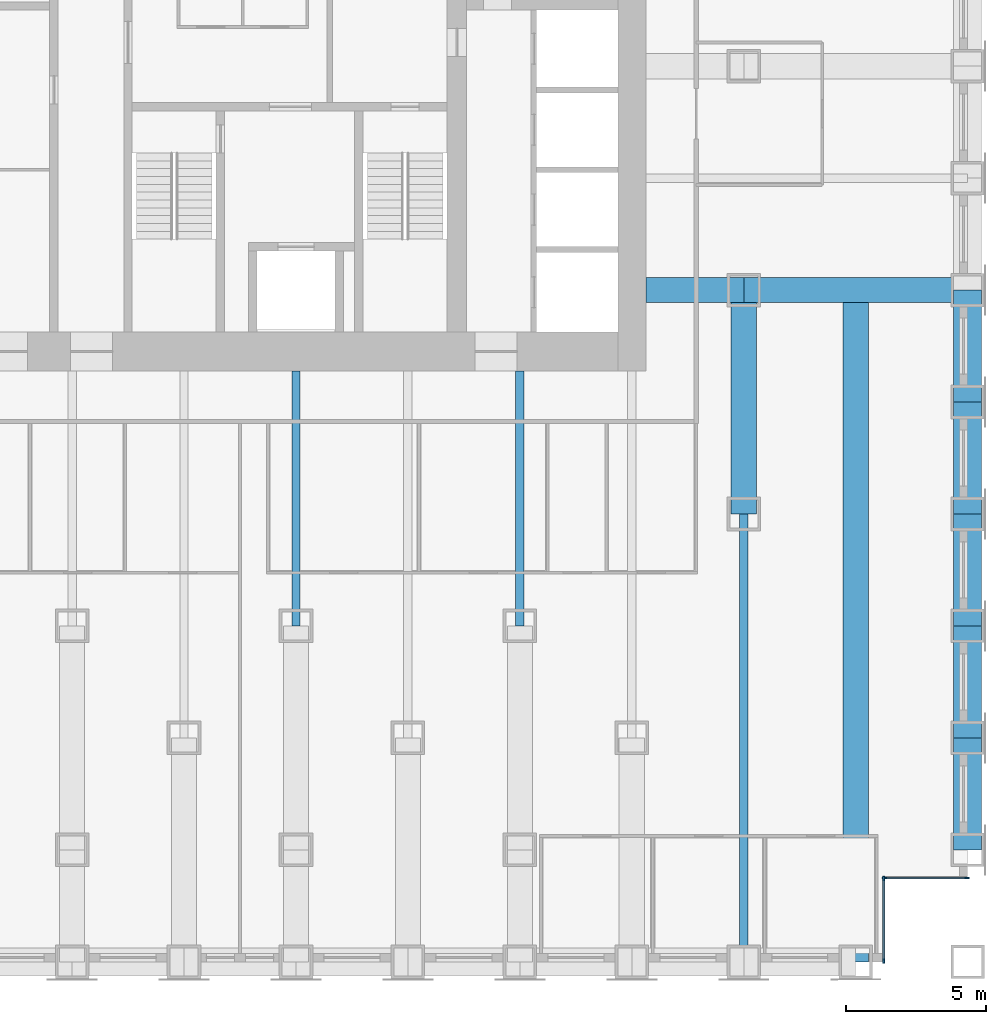
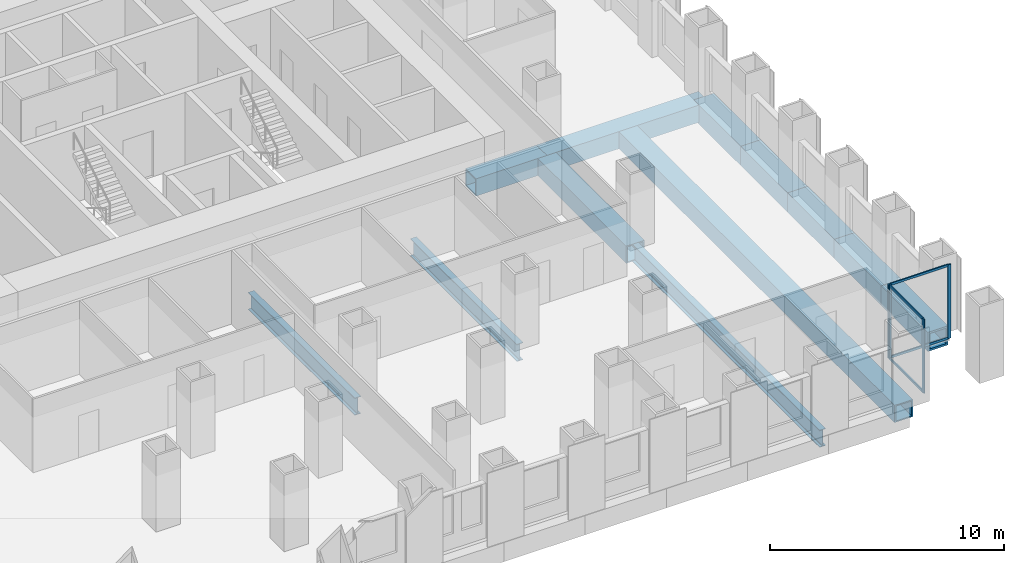
# One storey, part 4 of 15: 12 beams, 8 members, 2 elements without a shape of their own.
"""IFC4 building model written with IfcOpenShell, lengths in metres."""

import ifcopenshell
import ifcopenshell.guid

model = None  # the IFC model being written
_history = None  # IfcOwnerHistory: only IFC2X3 demands one
_inside = {}  # id of a spatial element -> (the spatial element, [elements in it])
_under = {}  # id of a project, library or spatial element -> (it, [spatial elements below it])
_declared = {}  # id of a project -> (the project, [libraries it declares])
_typed = {}  # id of a type object -> (the type object, [elements of that type])
_made_of = {}  # id of a material, layer set ... -> (it, [elements and type objects made of it])


def new_model(schema):
    """Start an empty IFC model of exactly this schema.

    Asked for "IFC4X3", IfcOpenShell would pick the latest addendum, in which some entities
    have other attributes; the version numbers below select the first issue.
    IFC2X3 requires an IfcOwnerHistory on every rooted entity: one is made here for all.
    """
    global model, _history
    if schema == "IFC4X3":
        model = ifcopenshell.file(schema_version=(4, 3, 0, 0))
    else:
        model = ifcopenshell.file(schema=schema)
    _inside.clear()
    _under.clear()
    _declared.clear()
    _typed.clear()
    _made_of.clear()
    _history = None
    if model.schema == "IFC2X3":
        org = make("IfcOrganization", Name="unknown")
        user = make(
            "IfcPersonAndOrganization",
            ThePerson=make("IfcPerson", FamilyName="unknown"),
            TheOrganization=org,
        )
        app = make(
            "IfcApplication",
            ApplicationDeveloper=org,
            Version="unknown",
            ApplicationFullName="unknown",
            ApplicationIdentifier="unknown",
        )
        _history = make(
            "IfcOwnerHistory",
            OwningUser=user,
            OwningApplication=app,
            ChangeAction="ADDED",
            CreationDate=0,
        )
    return model


def make(cls, **values):
    """One entity of the class cls with the attributes given. An attribute that is None is left unset."""
    return model.create_entity(
        cls, **{name: value for name, value in values.items() if value is not None}
    )


def rooted(cls, **values):
    """An entity with a GlobalId (a new one), such as an element, a storey or a relation."""
    return make(cls, GlobalId=ifcopenshell.guid.new(), OwnerHistory=_history, **values)


def si_unit(unit_type, name, prefix=None):
    """IfcSIUnit, for example si_unit("LENGTHUNIT", "METRE", prefix="MILLI")."""
    return make("IfcSIUnit", UnitType=unit_type, Prefix=prefix, Name=name)


def assignment(units):
    """IfcUnitAssignment: the units of a project."""
    return None if units is None else make("IfcUnitAssignment", Units=units)


def point(xyz):
    """IfcCartesianPoint."""
    return None if xyz is None else make("IfcCartesianPoint", Coordinates=xyz)


def direction(xyz):
    """IfcDirection."""
    return None if xyz is None else make("IfcDirection", DirectionRatios=xyz)


def frame(location, z_axis=None, x_axis=None):
    """IfcAxis2Placement3D, a coordinate frame: its origin and axes. An axis left out is left unset."""
    return make(
        "IfcAxis2Placement3D",
        Location=point(location),
        Axis=direction(z_axis),
        RefDirection=direction(x_axis),
    )


def frame_2d(location, x_axis=None):
    """IfcAxis2Placement2D, a coordinate frame in the plane: its origin and x axis."""
    return make(
        "IfcAxis2Placement2D", Location=point(location), RefDirection=direction(x_axis)
    )


def origin():
    """The frame at (0, 0, 0) with its axes left unset."""
    return frame((0.0, 0.0, 0.0))


def origin_2d():
    """The frame at (0, 0) in the plane with its x axis left unset."""
    return frame_2d((0.0, 0.0))


def place(relative_to, where):
    """IfcLocalPlacement: puts the frame where relative to a parent placement (None: the world)."""
    return make(
        "IfcLocalPlacement", PlacementRelTo=relative_to, RelativePlacement=where
    )


def context(
    kind, dimensions, precision=None, world=None, true_north=None, identifier=None
):
    """IfcGeometricRepresentationContext, for example the 3D "Model" context."""
    return make(
        "IfcGeometricRepresentationContext",
        ContextIdentifier=identifier,
        ContextType=kind,
        CoordinateSpaceDimension=dimensions,
        Precision=precision,
        WorldCoordinateSystem=world,
        TrueNorth=true_north,
    )


def subcontext(parent, identifier, kind, view, scale=None):
    """IfcGeometricRepresentationSubContext, for example "Body" below "Model"."""
    return make(
        "IfcGeometricRepresentationSubContext",
        ContextIdentifier=identifier,
        ContextType=kind,
        ParentContext=parent,
        TargetScale=scale,
        TargetView=view,
    )


def project(units=None, contexts=None):
    """IfcProject with its units and contexts."""
    return rooted(
        "IfcProject",
        Name="project",
        RepresentationContexts=contexts,
        UnitsInContext=assignment(units),
    )


def spatial(cls, under=None, at=None, **own):
    """A site, building, storey or space (cls), placed at a placement, below another one or the project."""
    s = rooted(cls, ObjectPlacement=at, **own)
    if under is not None:
        _under.setdefault(under.id(), (under, []))[1].append(s)
    return s


def profile(cls, at=None, kind="AREA", **sizes):
    """A parametric profile (cls). Its sizes go by their IFC names, for example OverallWidth=200.0."""
    return make(cls, ProfileType=kind, Position=at, **sizes)


def rectangle(**sizes):
    """IfcRectangleProfileDef."""
    return profile("IfcRectangleProfileDef", **sizes)


def hollow_rectangle(**sizes):
    """IfcRectangleHollowProfileDef."""
    return profile("IfcRectangleHollowProfileDef", **sizes)


def i_section(**sizes):
    """IfcIShapeProfileDef."""
    return profile("IfcIShapeProfileDef", **sizes)


def extrude(swept, where, along, depth):
    """IfcExtrudedAreaSolid: the profile swept, set in the frame where, extruded along a direction by depth."""
    return make(
        "IfcExtrudedAreaSolid",
        SweptArea=swept,
        Position=where,
        ExtrudedDirection=direction(along),
        Depth=depth,
    )


def shape(context_of_items, identifier, shape_type, items):
    """IfcShapeRepresentation: the items that make up one representation, for example the "Body"."""
    return make(
        "IfcShapeRepresentation",
        ContextOfItems=context_of_items,
        RepresentationIdentifier=identifier,
        RepresentationType=shape_type,
        Items=items,
    )


def material(Name=None, Category=None):
    """IfcMaterial."""
    return make("IfcMaterial", Name=Name, Category=Category)


def material_profile(
    of_material, cross_section, Name=None, Category=None, Priority=None
):
    """IfcMaterialProfile: a cross section and its material."""
    return make(
        "IfcMaterialProfile",
        Name=Name,
        Material=of_material,
        Profile=cross_section,
        Priority=Priority,
        Category=Category,
    )


def profile_set(profiles, Name=None, composite=None):
    """IfcMaterialProfileSet."""
    return make(
        "IfcMaterialProfileSet",
        Name=Name,
        MaterialProfiles=profiles,
        CompositeProfile=composite,
    )


def made_of(thing, what):
    """Note that an element or type object is made of a material, layer set ...; save() writes the relation."""
    if what is not None:
        _made_of.setdefault(what.id(), (what, []))[1].append(thing)
    return thing


def type_object(cls, material=None, **own):
    """A type object (cls), such as IfcWallType, which elements share."""
    return made_of(rooted(cls, **own), material)


def element(
    cls,
    number,
    at=None,
    inside=None,
    cuts=None,
    type_object=None,
    material=None,
    context=None,
    identifier="Body",
    shape_type=None,
    held_by="IfcProductDefinitionShape",
    body=None,
    shapes=None,
    **own,
):
    """One element of the class cls, such as IfcWall. Its Tag is "e" and its number.

    at: its placement. inside: the storey or other place that contains it. cuts: it is an
    opening in that element (IfcRelVoidsElement). A single representation is given by context,
    identifier, shape_type and body (its items); several are given by shapes. held_by: the class
    of the entity that holds the representations. save() writes the other relations.
    """
    e = rooted(cls, Tag="e%d" % number, ObjectPlacement=at, **own)
    if body is not None:
        shapes = [shape(context, identifier, shape_type, body)]
    if shapes is not None:
        e.Representation = make(held_by, Representations=shapes)
    if inside is not None:
        _inside.setdefault(inside.id(), (inside, []))[1].append(e)
    if cuts is not None:
        rooted(
            "IfcRelVoidsElement", RelatingBuildingElement=cuts, RelatedOpeningElement=e
        )
    if type_object is not None:
        _typed.setdefault(type_object.id(), (type_object, []))[1].append(e)
    return made_of(e, material)


def aggregate(whole, parts):
    """IfcRelAggregates: a whole, such as a stair, and the parts it consists of."""
    return rooted("IfcRelAggregates", RelatingObject=whole, RelatedObjects=parts)


def save(model, path):
    """Write the relations noted so far, then the file.

    IfcRelAggregates (storeys below a building ...), IfcRelContainedInSpatialStructure (elements
    in a storey), IfcRelDefinesByType, IfcRelAssociatesMaterial and IfcRelDeclares: one each for
    every whole, place, type object, material and project.
    """
    for whole, parts in _under.values():
        aggregate(whole, parts)
    for where, things in _inside.values():
        rooted(
            "IfcRelContainedInSpatialStructure",
            RelatedElements=things,
            RelatingStructure=where,
        )
    for kind, things in _typed.values():
        rooted("IfcRelDefinesByType", RelatedObjects=things, RelatingType=kind)
    for what, things in _made_of.values():
        rooted("IfcRelAssociatesMaterial", RelatedObjects=things, RelatingMaterial=what)
    for by, libraries in _declared.values():
        rooted("IfcRelDeclares", RelatingContext=by, RelatedDefinitions=libraries)
    model.write(path)


model = new_model("IFC4")

# Units and contexts
model_context = context("Model", 3, precision=1e-05, world=origin(), true_north=direction((0.0, 1.0)))
body_context = subcontext(model_context, "Body", "Model", "MODEL_VIEW")
ifc_project = project(units=[si_unit("LENGTHUNIT", "METRE"), si_unit("AREAUNIT", "SQUARE_METRE"), si_unit("VOLUMEUNIT", "CUBIC_METRE"), si_unit("PLANEANGLEUNIT", "RADIAN"), si_unit("MASSUNIT", "GRAM", prefix="KILO")], contexts=[model_context])

# Site, building, storey
site_placement = place(None, origin())
site = spatial("IfcSite", under=ifc_project, at=site_placement, CompositionType="ELEMENT")
building_placement = place(site_placement, origin())
building = spatial("IfcBuilding", under=site, at=building_placement, Name="Rimbunsela Tower", CompositionType="ELEMENT")
storey_placement = place(building_placement, frame((0.0, 0.0, 35.0)))
storey = spatial("IfcBuildingStorey", under=building, at=storey_placement, Name="L08", CompositionType="ELEMENT", Elevation=35.0)

# Beams
ifc_material_1 = material(Name="Steel BJ 55 (fy 410 MPa)", Category="steel")
ifc_material_profile_1 = material_profile(ifc_material_1, hollow_rectangle(XDim=1.0, YDim=1.0, WallThickness=0.10009765625, at=origin_2d()), Name="BOX 1000x1000x100")
ifc_profile_set_1 = profile_set([ifc_material_profile_1], Name="Steel BJ 55 (fy 410 MPa)")
beam_type_1 = type_object("IfcBeamType", Name="Beam BOX 1000x1000x100", PredefinedType="BEAM", material=ifc_profile_set_1)
for number, where, z_axis, x_axis, name in (
    (1, (54.0, 0.0, -0.64990234375), (0.0, 1.0, 0.0), (-1.0, 0.0, 0.0), "Beam B3 L08"),
    (2, (54.0, 4.0, -0.64990234375), (0.0, 1.0, 0.0), (-1.0, 0.0, 0.0), "Beam B3 L08"),
    (3, (54.0, 8.0, -0.64990234375), (0.0, 1.0, 0.0), (-1.0, 0.0, 0.0), "Beam B3 L08"),
    (4, (54.0, 12.0, -0.64990234375), (0.0, 1.0, 0.0), (-1.0, 0.0, 0.0), "Beam B3 L08"),
    (5, (54.0, 16.0, -0.64990234375), (0.0, 1.0, 0.0), (-1.0, 0.0, 0.0), "Beam B3 L08"),
):
    element("IfcBeam", number, at=place(storey_placement, frame(where, z_axis=z_axis, x_axis=x_axis)), inside=storey, type_object=beam_type_1, Name=name, PredefinedType="BEAM", context=body_context, shape_type="SweptSolid", body=[
        extrude(hollow_rectangle(XDim=1.0, YDim=1.0, WallThickness=0.10009765625, at=origin_2d()), origin(), (0.0, 0.0, 1.0), 4.0),
    ])
ifc_material_2 = material(Name="Steel BJ 55 (fy 410 MPa)", Category="steel")
ifc_material_profile_2 = material_profile(ifc_material_2, hollow_rectangle(XDim=0.89990234375, YDim=0.89990234375, WallThickness=0.06005859375, at=origin_2d()), Name="BOX 900x900x60")
ifc_profile_set_2 = profile_set([ifc_material_profile_2], Name="Steel BJ 55 (fy 410 MPa)")
beam_type_2 = type_object("IfcBeamType", Name="Beam BOX 900x900x60", PredefinedType="BEAM", material=ifc_profile_set_2)
beam_1_placement = place(storey_placement, frame((42.5, 20.0, -0.60009765625), z_axis=(1.0, 0.0, 0.0), x_axis=(0.0, 1.0, 0.0)))
element("IfcBeam", 6, at=beam_1_placement, inside=storey, type_object=beam_type_2, Name="Beam B1 L08", PredefinedType="BEAM", context=body_context, shape_type="SweptSolid", body=[
    extrude(hollow_rectangle(XDim=0.89990234375, YDim=0.89990234375, WallThickness=0.06005859375, at=origin_2d()), origin(), (0.0, 0.0, 1.0), 3.5),
])
for number, where, z_axis, x_axis, name in (
    (7, (46.0, 12.0, -0.60009765625), (0.0, 1.0, 0.0), (-1.0, 0.0, 0.0), "Beam B1 L08"),
    (8, (46.0, 20.0, -0.60009765625), (1.0, 0.0, 0.0), (0.0, 1.0, 0.0), "Beam B1 L08"),
):
    element("IfcBeam", number, at=place(storey_placement, frame(where, z_axis=z_axis, x_axis=x_axis)), inside=storey, type_object=beam_type_2, Name=name, PredefinedType="BEAM", context=body_context, shape_type="SweptSolid", body=[
        extrude(hollow_rectangle(XDim=0.89990234375, YDim=0.89990234375, WallThickness=0.06005859375, at=origin_2d()), origin(), (0.0, 0.0, 1.0), 8.0),
    ])
beam_2_placement = place(storey_placement, frame((50.0, -4.0, -0.60009765625), z_axis=(0.0, 1.0, 0.0), x_axis=(-1.0, 0.0, 0.0)))
element("IfcBeam", 9, at=beam_2_placement, inside=storey, type_object=beam_type_2, Name="Beam B1 L08", PredefinedType="BEAM", context=body_context, shape_type="SweptSolid", body=[
    extrude(hollow_rectangle(XDim=0.89990234375, YDim=0.89990234375, WallThickness=0.06005859375, at=origin_2d()), origin(), (0.0, 0.0, 1.0), 23.550048828125),
])
ifc_material_3 = material(Name="Steel BJ 55 (fy 410 MPa)", Category="steel")
ifc_material_profile_3 = material_profile(ifc_material_3, i_section(OverallWidth=0.300048828125, OverallDepth=0.89990234375, WebThickness=0.01611328125, FlangeThickness=0.028076171875, FilletRadius=0.028076171875, at=origin_2d()), Name="H 900x300x16x28")
ifc_profile_set_3 = profile_set([ifc_material_profile_3], Name="Steel BJ 55 (fy 410 MPa)")
beam_type_3 = type_object("IfcBeamType", Name="Beam H 900x300x16x28", PredefinedType="BEAM", material=ifc_profile_set_3)
for number, where, z_axis, x_axis, name in (
    (10, (30.0, 8.0, -0.60009765625), (0.0, 1.0, 0.0), (-1.0, 0.0, 0.0), "Beam B2 L08"),
    (11, (38.0, 8.0, -0.60009765625), (0.0, 1.0, 0.0), (-1.0, 0.0, 0.0), "Beam B2 L08"),
):
    element("IfcBeam", number, at=place(storey_placement, frame(where, z_axis=z_axis, x_axis=x_axis)), inside=storey, type_object=beam_type_3, Name=name, PredefinedType="BEAM", context=body_context, shape_type="SweptSolid", body=[
        extrude(i_section(OverallWidth=0.300048828125, OverallDepth=0.89990234375, WebThickness=0.01611328125, FlangeThickness=0.028076171875, FilletRadius=0.028076171875, at=origin_2d()), origin(), (0.0, 0.0, 1.0), 9.10009765625),
    ])
beam_3_placement = place(storey_placement, frame((46.0, -4.0, -0.60009765625), z_axis=(0.0, 1.0, 0.0), x_axis=(-1.0, 0.0, 0.0)))
element("IfcBeam", 12, at=beam_3_placement, inside=storey, type_object=beam_type_3, Name="Beam B2 L08", PredefinedType="BEAM", context=body_context, shape_type="SweptSolid", body=[
    extrude(i_section(OverallWidth=0.300048828125, OverallDepth=0.89990234375, WebThickness=0.01611328125, FlangeThickness=0.028076171875, FilletRadius=0.028076171875, at=origin_2d()), origin(), (0.0, 0.0, 1.0), 16.0),
])

# Curtain wall, members
ifc_material_4 = material(Name="Aluminium curtain wall", Category="aluminium")
curtain_wall_type = type_object("IfcCurtainWallType", Name="Corner glazing", PredefinedType="USERDEFINED", material=ifc_material_4)
curtain_wall_1_placement = place(storey_placement, origin())
curtain_wall_1 = element("IfcCurtainWall", 13, at=curtain_wall_1_placement, inside=storey, type_object=curtain_wall_type, Name="Corner glazing L08", ObjectType="CORNER GLAZING", PredefinedType="USERDEFINED")
ifc_material_5 = material(Name="Aluminium mullion", Category="aluminium")
ifc_material_profile_4 = material_profile(ifc_material_5, rectangle(XDim=0.06005859375, YDim=0.159912109375, at=origin_2d()), Name="Mullion 60x160")
ifc_profile_set_4 = profile_set([ifc_material_profile_4], Name="Aluminium mullion")
member_type_1 = type_object("IfcMemberType", Name="Curtain wall mullion 60x160", PredefinedType="MULLION", material=ifc_profile_set_4)
member_1_placement = place(storey_placement, frame((51.0, -3.969970703125, 0.0), z_axis=(0.0, 0.0, 1.0), x_axis=(-1.0, 0.0, 0.0)))
member_1 = element("IfcMember", 14, at=member_1_placement, type_object=member_type_1, Name="CW5 mullion 1", PredefinedType="MULLION", context=body_context, shape_type="SweptSolid", body=[
    extrude(rectangle(XDim=0.06005859375, YDim=0.159912109375, at=origin_2d()), origin(), (0.0, 0.0, 1.0), 3.85009765625),
])
member_2_placement = place(storey_placement, frame((51.0, -1.030029296875, 0.0), z_axis=(0.0, 0.0, 1.0), x_axis=(-1.0, 0.0, 0.0)))
member_2 = element("IfcMember", 15, at=member_2_placement, type_object=member_type_1, Name="CW5 mullion 2", PredefinedType="MULLION", context=body_context, shape_type="SweptSolid", body=[
    extrude(rectangle(XDim=0.06005859375, YDim=0.159912109375, at=origin_2d()), origin(), (0.0, 0.0, 1.0), 3.85009765625),
])

curtain_wall_2_placement = place(storey_placement, origin())
curtain_wall_2 = element("IfcCurtainWall", 16, at=curtain_wall_2_placement, inside=storey, type_object=curtain_wall_type, Name="Corner glazing L08", ObjectType="CORNER GLAZING", PredefinedType="USERDEFINED")
member_3_placement = place(storey_placement, frame((51.030029296875, -1.0, 0.0), z_axis=(0.0, 0.0, 1.0), x_axis=(0.0, 1.0, 0.0)))
member_3 = element("IfcMember", 17, at=member_3_placement, type_object=member_type_1, Name="CW5 mullion 1", PredefinedType="MULLION", context=body_context, shape_type="SweptSolid", body=[
    extrude(rectangle(XDim=0.06005859375, YDim=0.159912109375, at=origin_2d()), origin(), (0.0, 0.0, 1.0), 3.85009765625),
])
member_4_placement = place(storey_placement, frame((53.969970703125, -1.0, 0.0), z_axis=(0.0, 0.0, 1.0), x_axis=(0.0, 1.0, 0.0)))
member_4 = element("IfcMember", 18, at=member_4_placement, type_object=member_type_1, Name="CW5 mullion 2", PredefinedType="MULLION", context=body_context, shape_type="SweptSolid", body=[
    extrude(rectangle(XDim=0.06005859375, YDim=0.159912109375, at=origin_2d()), origin(), (0.0, 0.0, 1.0), 3.85009765625),
])

# Member
ifc_material_6 = material(Name="Aluminium transom", Category="aluminium")
ifc_material_profile_5 = material_profile(ifc_material_6, rectangle(XDim=0.06005859375, YDim=0.1201171875, at=origin_2d()), Name="Transom 60x120")
ifc_profile_set_5 = profile_set([ifc_material_profile_5], Name="Aluminium transom")
member_type_2 = type_object("IfcMemberType", Name="Curtain wall transom 60x120", PredefinedType="USERDEFINED", material=ifc_profile_set_5)
member_5_placement = place(storey_placement, frame((51.0, -3.93994140625, 0.030029296875), z_axis=(0.0, 1.0, 0.0), x_axis=(-1.0, 0.0, 0.0)))
member_5 = element("IfcMember", 19, at=member_5_placement, type_object=member_type_2, Name="CW5 transom 1.1", ObjectType="TRANSOM", PredefinedType="USERDEFINED", context=body_context, shape_type="SweptSolid", body=[
    extrude(rectangle(XDim=0.06005859375, YDim=0.1201171875, at=origin_2d()), origin(), (0.0, 0.0, 1.0), 2.8798828125),
])

member_6_placement = place(storey_placement, frame((51.0, -3.93994140625, 3.820068359375), z_axis=(0.0, 1.0, 0.0), x_axis=(-1.0, 0.0, 0.0)))
member_6 = element("IfcMember", 20, at=member_6_placement, type_object=member_type_2, Name="CW5 transom 1.2", ObjectType="TRANSOM", PredefinedType="USERDEFINED", context=body_context, shape_type="SweptSolid", body=[
    extrude(rectangle(XDim=0.06005859375, YDim=0.1201171875, at=origin_2d()), origin(), (0.0, 0.0, 1.0), 2.8798828125),
])

aggregate(curtain_wall_1, [member_1, member_2, member_5, member_6])

member_7_placement = place(storey_placement, frame((51.06005859375, -1.0, 0.030029296875), z_axis=(1.0, 0.0, 0.0), x_axis=(0.0, 1.0, 0.0)))
member_7 = element("IfcMember", 21, at=member_7_placement, type_object=member_type_2, Name="CW5 transom 1.1", ObjectType="TRANSOM", PredefinedType="USERDEFINED", context=body_context, shape_type="SweptSolid", body=[
    extrude(rectangle(XDim=0.06005859375, YDim=0.1201171875, at=origin_2d()), origin(), (0.0, 0.0, 1.0), 2.8798828125),
])

member_8_placement = place(storey_placement, frame((51.06005859375, -1.0, 3.820068359375), z_axis=(1.0, 0.0, 0.0), x_axis=(0.0, 1.0, 0.0)))
member_8 = element("IfcMember", 22, at=member_8_placement, type_object=member_type_2, Name="CW5 transom 1.2", ObjectType="TRANSOM", PredefinedType="USERDEFINED", context=body_context, shape_type="SweptSolid", body=[
    extrude(rectangle(XDim=0.06005859375, YDim=0.1201171875, at=origin_2d()), origin(), (0.0, 0.0, 1.0), 2.8798828125),
])

aggregate(curtain_wall_2, [member_3, member_4, member_7, member_8])

save(model, "model.ifc")
